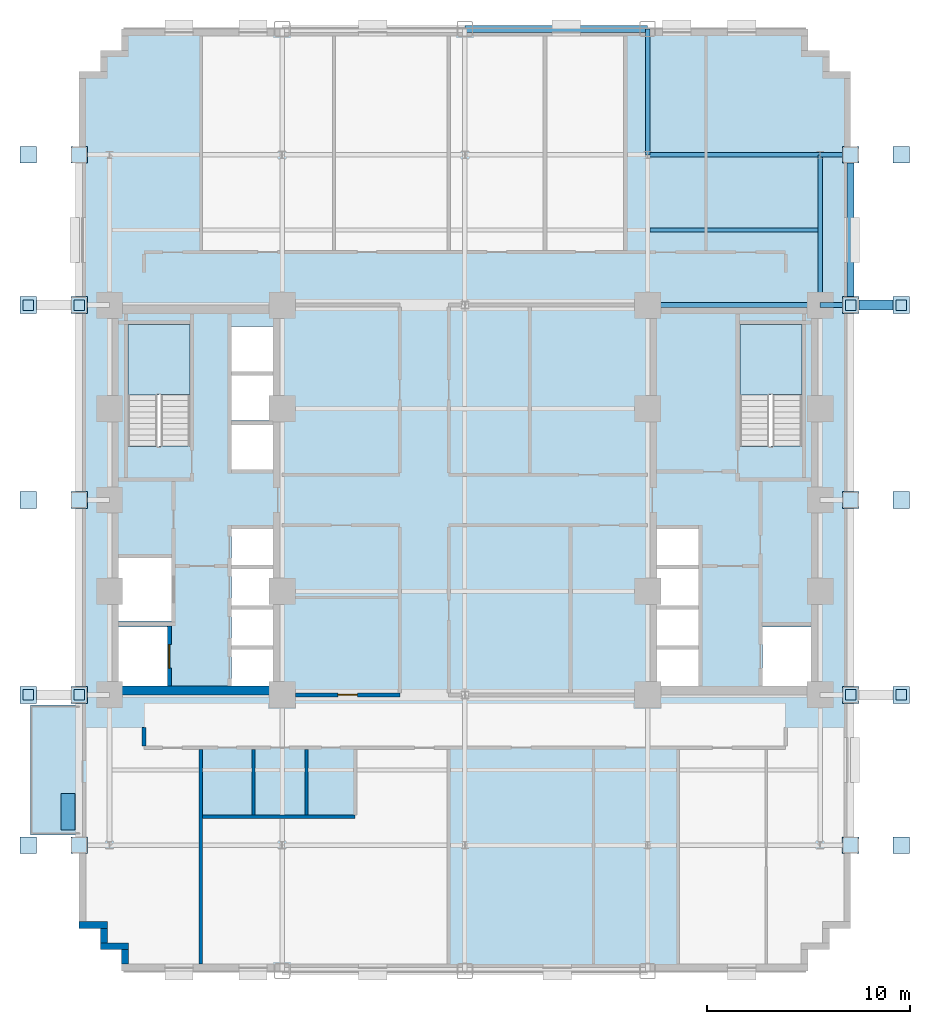
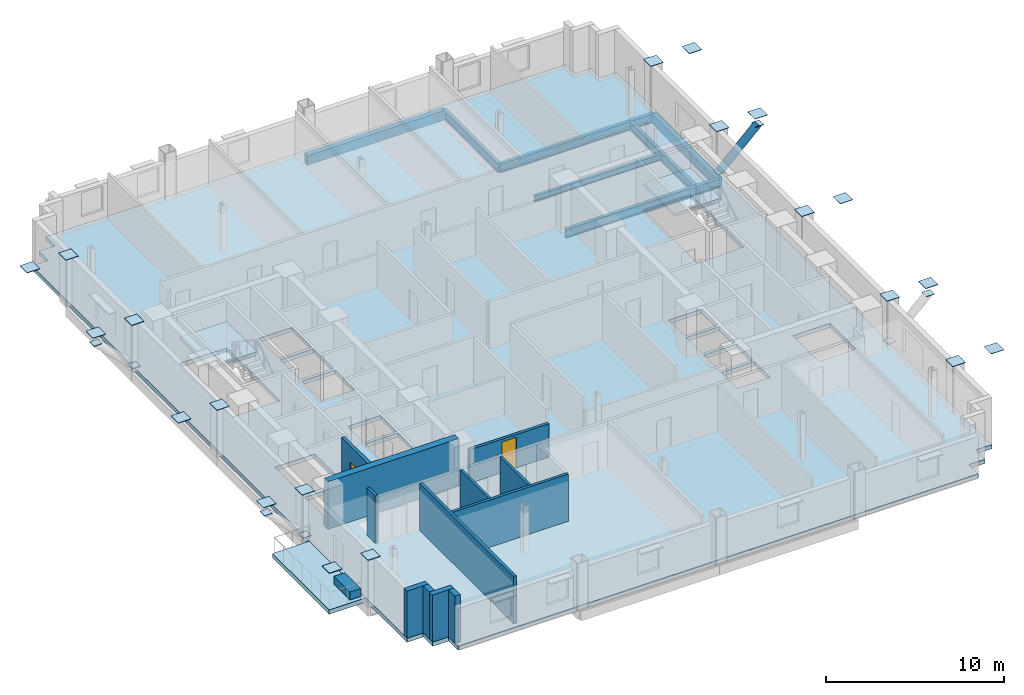
# One storey, part 4 of 12: 29 plates, 12 walls, 9 beams, 4 slabs, 2 doors, 1 member, 2 openings, 2 elements without a shape of their own.
"""IFC4 building model written with IfcOpenShell, lengths in metres."""

from ifc_helpers import new_model, si_unit, direction, frame, frame_2d, origin, origin_2d, place, context, subcontext, project, spatial, polyline, rectangle, hollow_circle, i_section, outline, extrude, source, transform, mapped, material, layer, layer_set, material_profile, profile_set, type_object, type_shapes, element, fill, aggregate, save


model = new_model("IFC4")

# Units and contexts
model_context = context("Model", 3, precision=1e-05, world=origin(), true_north=direction((0.0, 1.0)))
body_context = subcontext(model_context, "Body", "Model", "MODEL_VIEW")
ifc_project = project(units=[si_unit("LENGTHUNIT", "METRE"), si_unit("AREAUNIT", "SQUARE_METRE"), si_unit("VOLUMEUNIT", "CUBIC_METRE"), si_unit("PLANEANGLEUNIT", "RADIAN"), si_unit("MASSUNIT", "GRAM", prefix="KILO")], contexts=[model_context])

# Site, building, storey
site_placement = place(None, origin())
site = spatial("IfcSite", under=ifc_project, at=site_placement, CompositionType="ELEMENT")
building_placement = place(site_placement, origin())
building = spatial("IfcBuilding", under=site, at=building_placement, Name="Nuvemarco Arch Tower", CompositionType="ELEMENT")
storey_placement = place(building_placement, frame((0.0, 0.0, 53.14990234375)))
storey = spatial("IfcBuildingStorey", under=building, at=storey_placement, Name="L13", CompositionType="ELEMENT", Elevation=53.14990234375)

# Beams
ifc_material_1 = material(Name="Steel S355", Category="steel")
ifc_material_profile_1 = material_profile(ifc_material_1, i_section(OverallWidth=0.22998046875, OverallDepth=0.616943359375, WebThickness=0.01318359375, FlangeThickness=0.022216796875, FilletRadius=0.01611328125, at=origin_2d()), Name="W610x140")
ifc_profile_set_1 = profile_set([ifc_material_profile_1], Name="Steel S355")
beam_type_1 = type_object("IfcBeamType", Name="BM-GIRD-610", PredefinedType="BEAM", material=ifc_profile_set_1)
beam_1_placement = place(storey_placement, frame((9.0, 17.0, -0.58837890625), z_axis=(0.0, 1.0, 0.0), x_axis=(-1.0, 0.0, 0.0)))
element("IfcBeam", 1, at=beam_1_placement, inside=storey, type_object=beam_type_1, Name="L13 structural beam BGNS_L13_0_+9.0_+17.0", PredefinedType="BEAM", context=body_context, shape_type="SweptSolid", body=[
    extrude(i_section(OverallWidth=0.22998046875, OverallDepth=0.616943359375, WebThickness=0.01318359375, FlangeThickness=0.022216796875, FilletRadius=0.01611328125, at=origin_2d()), origin(), (0.0, 0.0, 1.0), 6.199951171875),
])
beam_2_placement = place(storey_placement, frame((17.5, 9.60009765625, -0.58837890625), z_axis=(0.0, 1.0, 0.0), x_axis=(-1.0, 0.0, 0.0)))
element("IfcBeam", 2, at=beam_2_placement, inside=storey, type_object=beam_type_1, Name="L13 structural beam BGNS_L13_0_+17.5_+9.6", PredefinedType="BEAM", context=body_context, shape_type="SweptSolid", body=[
    extrude(i_section(OverallWidth=0.22998046875, OverallDepth=0.616943359375, WebThickness=0.01318359375, FlangeThickness=0.022216796875, FilletRadius=0.01611328125, at=origin_2d()), origin(), (0.0, 0.0, 1.0), 7.39990234375),
])
beam_3_placement = place(storey_placement, frame((9.0, 9.60009765625, -0.58837890625), z_axis=(1.0, 0.0, 0.0), x_axis=(0.0, 1.0, 0.0)))
element("IfcBeam", 3, at=beam_3_placement, inside=storey, type_object=beam_type_1, Name="L13 structural beam BGEW_L13_0_+9.6_+9.0", PredefinedType="BEAM", context=body_context, shape_type="SweptSolid", body=[
    extrude(i_section(OverallWidth=0.22998046875, OverallDepth=0.616943359375, WebThickness=0.01318359375, FlangeThickness=0.022216796875, FilletRadius=0.01611328125, at=origin_2d()), origin(), (0.0, 0.0, 1.0), 8.5),
])
beam_4_placement = place(storey_placement, frame((17.5, 9.60009765625, -0.58837890625), z_axis=(1.0, 0.0, 0.0), x_axis=(0.0, 1.0, 0.0)))
element("IfcBeam", 4, at=beam_4_placement, inside=storey, type_object=beam_type_1, Name="L13 structural beam BGEW_L13_0_+9.6_+17.5", PredefinedType="BEAM", context=body_context, shape_type="SweptSolid", body=[
    extrude(i_section(OverallWidth=0.22998046875, OverallDepth=0.616943359375, WebThickness=0.01318359375, FlangeThickness=0.022216796875, FilletRadius=0.01611328125, at=origin_2d()), origin(), (0.0, 0.0, 1.0), 1.5),
])
beam_5_placement = place(storey_placement, frame((9.0, 17.0, -0.58837890625), z_axis=(1.0, 0.0, 0.0), x_axis=(0.0, 1.0, 0.0)))
element("IfcBeam", 5, at=beam_5_placement, inside=storey, type_object=beam_type_1, Name="L13 structural beam BGEW_L13_0_+17.0_+9.0", PredefinedType="BEAM", context=body_context, shape_type="SweptSolid", body=[
    extrude(i_section(OverallWidth=0.22998046875, OverallDepth=0.616943359375, WebThickness=0.01318359375, FlangeThickness=0.022216796875, FilletRadius=0.01611328125, at=origin_2d()), origin(), (0.0, 0.0, 1.0), 8.5),
])
beam_6_placement = place(storey_placement, frame((17.5, 17.0, -0.58837890625), z_axis=(1.0, 0.0, 0.0), x_axis=(0.0, 1.0, 0.0)))
element("IfcBeam", 6, at=beam_6_placement, inside=storey, type_object=beam_type_1, Name="L13 structural beam BGEW_L13_0_+17.0_+17.5", PredefinedType="BEAM", context=body_context, shape_type="SweptSolid", body=[
    extrude(i_section(OverallWidth=0.22998046875, OverallDepth=0.616943359375, WebThickness=0.01318359375, FlangeThickness=0.022216796875, FilletRadius=0.01611328125, at=origin_2d()), origin(), (0.0, 0.0, 1.0), 1.5),
])
ifc_material_profile_2 = material_profile(ifc_material_1, i_section(OverallWidth=0.179931640625, OverallDepth=0.4130859375, WebThickness=0.009765625, FlangeThickness=0.01611328125, FilletRadius=0.014892578125, at=origin_2d()), Name="W410x75")
ifc_profile_set_2 = profile_set([ifc_material_profile_2], Name="Steel S355")
beam_type_2 = type_object("IfcBeamType", Name="BM-JOIST-410", PredefinedType="JOIST", material=ifc_profile_set_2)
beam_7_placement = place(storey_placement, frame((9.114990234375, 13.300048828125, -0.486328125), z_axis=(1.0, 0.0, 0.0), x_axis=(0.0, 1.0, 0.0)))
element("IfcBeam", 7, at=beam_7_placement, inside=storey, type_object=beam_type_2, Name="L13 structural beam BJ_L13_0_+13.3_+9.0", PredefinedType="JOIST", context=body_context, shape_type="SweptSolid", body=[
    extrude(i_section(OverallWidth=0.179931640625, OverallDepth=0.4130859375, WebThickness=0.009765625, FlangeThickness=0.01611328125, FilletRadius=0.014892578125, at=origin_2d()), origin(), (0.0, 0.0, 1.0), 8.27001953125),
])
ifc_material_2 = material(Name="Precast concrete C45/55", Category="concrete")
ifc_material_profile_3 = material_profile(ifc_material_2, rectangle(XDim=0.35009765625, YDim=0.64990234375, at=origin_2d()), Name="PC-SP-350x650")
ifc_profile_set_3 = profile_set([ifc_material_profile_3], Name="Precast concrete C45/55")
beam_type_3 = type_object("IfcBeamType", Name="BM-SPAN-RC", PredefinedType="SPANDREL", material=ifc_profile_set_3)
beam_8_placement = place(storey_placement, frame((19.0, 9.60009765625, -0.60498046875), z_axis=(0.0, 1.0, 0.0), x_axis=(-1.0, 0.0, 0.0)))
element("IfcBeam", 8, at=beam_8_placement, inside=storey, type_object=beam_type_3, Name="L13 structural beam BGNS_L13_0_+19.0_+9.6", PredefinedType="SPANDREL", context=body_context, shape_type="SweptSolid", body=[
    extrude(rectangle(XDim=0.35009765625, YDim=0.64990234375, at=origin_2d()), origin(), (0.0, 0.0, 1.0), 7.39990234375),
])
beam_9_placement = place(storey_placement, frame((0.0, 23.199951171875, -0.60498046875), z_axis=(1.0, 0.0, 0.0), x_axis=(0.0, 1.0, 0.0)))
element("IfcBeam", 9, at=beam_9_placement, inside=storey, type_object=beam_type_3, Name="L13 structural beam BGEW_L13_0_+23.2_+0.0", PredefinedType="SPANDREL", context=body_context, shape_type="SweptSolid", body=[
    extrude(rectangle(XDim=0.35009765625, YDim=0.64990234375, at=origin_2d()), origin(), (0.0, 0.0, 1.0), 9.0),
])

# Member
ifc_material_profile_4 = material_profile(ifc_material_1, hollow_circle(Radius=0.25390625, WallThickness=0.031982421875, at=origin_2d()), Name="CHS508x32")
ifc_profile_set_4 = profile_set([ifc_material_profile_4], Name="Steel S355")
member_type = type_object("IfcMemberType", Name="MB-RAKER-CANT", PredefinedType="STRUT", material=ifc_profile_set_4)
member_placement = place(storey_placement, frame((19.0, 9.60009765625, 0.150146484375), z_axis=(0.721401399021, 0.0, 0.692517163318), x_axis=(0.0, 1.0, 0.0)))
element("IfcMember", 10, at=member_placement, inside=storey, type_object=member_type, Name="L13 outward-step steel raker strut E", PredefinedType="STRUT", context=body_context, shape_type="SweptSolid", body=[
    extrude(hollow_circle(Radius=0.25390625, WallThickness=0.031982421875, at=origin_2d()), origin(), (0.0, 0.0, 1.0), 3.465576171875),
])

# Slab
ifc_material_3 = material(Name="Concrete C50/60", Category="concrete")
ifc_layer_1 = layer(ifc_material_3, 0.280029296875, Name="SL-FLR-280")
ifc_layer_set_1 = layer_set([ifc_layer_1], Name="Concrete C50/60")
slab_type_1 = type_object("IfcSlabType", Name="SL-FLR-280", PredefinedType="FLOOR", material=ifc_layer_set_1)
slab_1_placement = place(storey_placement, frame((0.0, 0.0, -0.27978515625)))
element("IfcSlab", 11, at=slab_1_placement, inside=storey, type_object=slab_type_1, Name="L13 structural floor slab", PredefinedType="FLOOR", context=body_context, shape_type="SweptSolid", body=[
    extrude(outline(polyline([(-16.89990234375, -23.199951171875), (16.89990234375, -23.199951171875), (16.89990234375, -22.14990234375), (17.949951171875, -22.14990234375), (17.949951171875, -21.10009765625), (19.0, -21.10009765625), (19.0, 21.10009765625), (17.949951171875, 21.10009765625), (17.949951171875, 22.14990234375), (16.89990234375, 22.14990234375), (16.89990234375, 23.199951171875), (-16.89990234375, 23.199951171875), (-16.89990234375, 22.14990234375), (-17.949951171875, 22.14990234375), (-17.949951171875, 21.10009765625), (-19.0, 21.10009765625), (-19.0, -21.10009765625), (-17.949951171875, -21.10009765625), (-17.949951171875, -22.14990234375), (-16.89990234375, -22.14990234375), (-16.89990234375, -23.199951171875)]), holes=[polyline([(-13.5400390625, 2.669921875), (-13.5400390625, 8.64990234375), (-16.60009765625, 8.64990234375), (-16.60009765625, 2.630615234375), (-15.070068359375, 2.630615234375), (-15.070068359375, 2.669921875), (-13.5400390625, 2.669921875)]), polyline([(16.60009765625, 2.669921875), (16.60009765625, 8.64990234375), (13.5400390625, 8.64990234375), (13.5400390625, 2.630615234375), (15.070068359375, 2.630615234375), (15.070068359375, 2.669921875), (16.60009765625, 2.669921875)]), polyline([(-17.050048828125, -9.14990234375), (-14.64990234375, -9.14990234375), (-14.64990234375, -6.25), (-17.050048828125, -6.25), (-17.050048828125, -9.14990234375)]), polyline([(-17.050048828125, -5.949951171875), (-14.449951171875, -5.949951171875), (-14.449951171875, -2.85009765625), (-17.050048828125, -2.85009765625), (-17.050048828125, -5.949951171875)]), polyline([(-11.5, -9.14990234375), (-9.35009765625, -9.14990234375), (-9.35009765625, -7.3701171875), (-11.5, -7.3701171875), (-11.5, -9.14990234375)]), polyline([(-11.5, -7.169921875), (-9.35009765625, -7.169921875), (-9.35009765625, -5.389892578125), (-11.5, -5.389892578125), (-11.5, -7.169921875)]), polyline([(-11.5, -5.18994140625), (-9.35009765625, -5.18994140625), (-9.35009765625, -3.409912109375), (-11.5, -3.409912109375), (-11.5, -5.18994140625)]), polyline([(-11.5, -3.2099609375), (-9.35009765625, -3.2099609375), (-9.35009765625, -1.429931640625), (-11.5, -1.429931640625), (-11.5, -3.2099609375)]), polyline([(-11.5, 1.5), (-9.35009765625, 1.5), (-9.35009765625, 3.699951171875), (-11.5, 3.699951171875), (-11.5, 1.5)]), polyline([(-11.5, 3.919921875), (-9.35009765625, 3.919921875), (-9.35009765625, 6.1201171875), (-11.5, 6.1201171875), (-11.5, 3.919921875)]), polyline([(-11.5, 6.340087890625), (-9.35009765625, 6.340087890625), (-9.35009765625, 8.5400390625), (-11.5, 8.5400390625), (-11.5, 6.340087890625)]), polyline([(14.64990234375, -9.14990234375), (17.050048828125, -9.14990234375), (17.050048828125, -6.25), (14.64990234375, -6.25), (14.64990234375, -9.14990234375)]), polyline([(9.35009765625, -9.14990234375), (11.5, -9.14990234375), (11.5, -7.3701171875), (9.35009765625, -7.3701171875), (9.35009765625, -9.14990234375)]), polyline([(9.35009765625, -7.169921875), (11.5, -7.169921875), (11.5, -5.389892578125), (9.35009765625, -5.389892578125), (9.35009765625, -7.169921875)]), polyline([(9.35009765625, -5.18994140625), (11.5, -5.18994140625), (11.5, -3.409912109375), (9.35009765625, -3.409912109375), (9.35009765625, -5.18994140625)]), polyline([(9.35009765625, -3.2099609375), (11.5, -3.2099609375), (11.5, -1.429931640625), (9.35009765625, -1.429931640625), (9.35009765625, -3.2099609375)])]), origin(), (0.0, 0.0, 1.0), 0.27978515625),
])

# Stair, slab
stair_type = type_object("IfcStairType", Name="ST-CORE-20R", PredefinedType="HALF_TURN_STAIR", material=ifc_material_2)
stair_1_placement = place(storey_placement, origin())
stair_1 = element("IfcStair", 12, at=stair_1_placement, inside=storey, type_object=stair_type, Name="L13 Protected Exit Stair ST-1", PredefinedType="HALF_TURN_STAIR")
ifc_layer_2 = layer(ifc_material_2, 0.199951171875, Name="SL-LANDING-200")
ifc_layer_set_2 = layer_set([ifc_layer_2], Name="Precast concrete C45/55")
slab_type_2 = type_object("IfcSlabType", Name="SL-LANDING-200", PredefinedType="LANDING", material=ifc_layer_set_2)
slab_2_placement = place(storey_placement, frame((0.0, 0.0, 1.625)))
slab_2 = element("IfcSlab", 13, at=slab_2_placement, type_object=slab_type_2, Name="ST-20R landing 1", PredefinedType="LANDING", context=body_context, shape_type="SweptSolid", body=[
    extrude(outline(polyline([(-13.5400390625, 5.189453125), (-13.5400390625, 8.64990234375), (-16.60009765625, 8.64990234375), (-16.60009765625, 5.169921875), (-15.070068359375, 5.169921875), (-15.070068359375, 5.189453125), (-13.5400390625, 5.189453125)])), origin(), (0.0, 0.0, 1.0), 0.2001953125),
])
aggregate(stair_1, [slab_2])

stair_2_placement = place(storey_placement, origin())
stair_2 = element("IfcStair", 14, at=stair_2_placement, inside=storey, type_object=stair_type, Name="L13 Protected Exit Stair ST-2", PredefinedType="HALF_TURN_STAIR")
slab_3_placement = place(storey_placement, frame((0.0, 0.0, 1.625)))
slab_3 = element("IfcSlab", 15, at=slab_3_placement, type_object=slab_type_2, Name="ST-20R landing 1", PredefinedType="LANDING", context=body_context, shape_type="SweptSolid", body=[
    extrude(outline(polyline([(16.60009765625, 5.189453125), (16.60009765625, 8.64990234375), (13.5400390625, 8.64990234375), (13.5400390625, 5.169921875), (15.070068359375, 5.169921875), (15.070068359375, 5.189453125), (16.60009765625, 5.189453125)])), origin(), (0.0, 0.0, 1.0), 0.2001953125),
])
aggregate(stair_2, [slab_3])

# Slab
ifc_layer_3 = layer(ifc_material_3, 0.294921875, Name="SL-TR4")
ifc_layer_set_3 = layer_set([ifc_layer_3], Name="Concrete C50/60")
slab_type_3 = type_object("IfcSlabType", Name="SL-TR4", PredefinedType="FLOOR", material=ifc_layer_set_3)
slab_4_placement = place(storey_placement, frame((0.0, 0.0, -0.294921875)))
element("IfcSlab", 16, at=slab_4_placement, inside=storey, type_object=slab_type_3, Name="L13 outdoor spiral terrace slab 1", PredefinedType="FLOOR", context=body_context, shape_type="SweptSolid", body=[
    extrude(outline(polyline([(-21.39990234375, -16.5), (-19.0, -16.5), (-19.0, -10.10009765625), (-21.39990234375, -10.10009765625), (-21.39990234375, -16.5)])), origin(), (0.0, 0.0, 1.0), 0.294921875),
])

# Plates
ifc_material_4 = material(Name="Steel S460", Category="steel")
ifc_layer_4 = layer(ifc_material_4, 0.030029296875, Name="PL-CAP-800-EXT")
ifc_layer_set_4 = layer_set([ifc_layer_4], Name="Steel S460")
plate_type_1 = type_object("IfcPlateType", Name="PL-CAP-800-EXT", PredefinedType="SHEET", material=ifc_layer_set_4)
shared_shape_1 = source(origin(), body_context, "Body", "SweptSolid", [
    extrude(rectangle(XDim=0.820068359375, YDim=0.820068359375, at=origin_2d()), origin(), (0.0, 0.0, 1.0), 0.030029296875),
])
type_shapes(plate_type_1, [shared_shape_1])
for number, where, z_axis, x_axis, name in (
    (17, (-19.0, -17.0, 3.23486328125), (0.0, 0.0, 1.0), (1.0, 0.0, 0.0), "Hollow steel end-cap plate COL-L13-CX_-19.0_-17.0_TOP"),
    (18, (-19.0, -9.60009765625, 3.23486328125), (0.0, 0.0, 1.0), (1.0, 0.0, 0.0), "Hollow steel end-cap plate COL-L13-CX_-19.0_-9.6_TOP"),
    (19, (-19.0, 0.0, 3.23486328125), (0.0, 0.0, 1.0), (1.0, 0.0, 0.0), "Hollow steel end-cap plate COL-L13-CX_-19.0_+0.0_TOP"),
    (20, (-19.0, 9.60009765625, 3.23486328125), (0.0, 0.0, 1.0), (1.0, 0.0, 0.0), "Hollow steel end-cap plate COL-L13-CX_-19.0_+9.6_TOP"),
    (21, (-19.0, 17.0, 3.23486328125), (0.0, 0.0, 1.0), (1.0, 0.0, 0.0), "Hollow steel end-cap plate COL-L13-CX_-19.0_+17.0_TOP"),
    (22, (19.0, -17.0, 3.23486328125), (0.0, 0.0, 1.0), (1.0, 0.0, 0.0), "Hollow steel end-cap plate COL-L13-CX_+19.0_-17.0_TOP"),
    (23, (19.0, -9.60009765625, 3.23486328125), (0.0, 0.0, 1.0), (1.0, 0.0, 0.0), "Hollow steel end-cap plate COL-L13-CX_+19.0_-9.6_TOP"),
    (24, (19.0, 0.0, 3.23486328125), (0.0, 0.0, 1.0), (1.0, 0.0, 0.0), "Hollow steel end-cap plate COL-L13-CX_+19.0_+0.0_TOP"),
    (25, (19.0, 9.60009765625, 3.23486328125), (0.0, 0.0, 1.0), (1.0, 0.0, 0.0), "Hollow steel end-cap plate COL-L13-CX_+19.0_+9.6_TOP"),
    (26, (19.0, 17.0, 3.23486328125), (0.0, 0.0, 1.0), (1.0, 0.0, 0.0), "Hollow steel end-cap plate COL-L13-CX_+19.0_+17.0_TOP"),
    (27, (-21.5, -17.0, 3.23486328125), (0.0, 0.0, 1.0), (1.0, 0.0, 0.0), "Hollow steel end-cap plate COL-L14-CX_-21.5_-17.0_BOT"),
    (28, (-21.5, -9.60009765625, 3.23486328125), (0.0, 0.0, 1.0), (1.0, 0.0, 0.0), "Hollow steel end-cap plate COL-L14-CX_-21.5_-9.6_BOT"),
    (29, (-21.5, 0.0, 3.23486328125), (0.0, 0.0, 1.0), (1.0, 0.0, 0.0), "Hollow steel end-cap plate COL-L14-CX_-21.5_+0.0_BOT"),
    (30, (-21.5, 9.60009765625, 3.23486328125), (0.0, 0.0, 1.0), (1.0, 0.0, 0.0), "Hollow steel end-cap plate COL-L14-CX_-21.5_+9.6_BOT"),
    (31, (-21.5, 17.0, 3.23486328125), (0.0, 0.0, 1.0), (1.0, 0.0, 0.0), "Hollow steel end-cap plate COL-L14-CX_-21.5_+17.0_BOT"),
    (32, (21.5, -17.0, 3.23486328125), (0.0, 0.0, 1.0), (1.0, 0.0, 0.0), "Hollow steel end-cap plate COL-L14-CX_+21.5_-17.0_BOT"),
    (33, (21.5, -9.60009765625, 3.23486328125), (0.0, 0.0, 1.0), (1.0, 0.0, 0.0), "Hollow steel end-cap plate COL-L14-CX_+21.5_-9.6_BOT"),
    (34, (21.5, 0.0, 3.23486328125), (0.0, 0.0, 1.0), (1.0, 0.0, 0.0), "Hollow steel end-cap plate COL-L14-CX_+21.5_+0.0_BOT"),
    (35, (21.5, 9.60009765625, 3.23486328125), (0.0, 0.0, 1.0), (1.0, 0.0, 0.0), "Hollow steel end-cap plate COL-L14-CX_+21.5_+9.6_BOT"),
    (36, (21.5, 17.0, 3.23486328125), (0.0, 0.0, 1.0), (1.0, 0.0, 0.0), "Hollow steel end-cap plate COL-L14-CX_+21.5_+17.0_BOT"),
):
    element("IfcPlate", number, at=place(storey_placement, frame(where, z_axis=z_axis, x_axis=x_axis)), inside=storey, type_object=plate_type_1, Name=name, PredefinedType="SHEET", context=body_context, shape_type="MappedRepresentation", body=[
        mapped(shared_shape_1, transform((0.0, 0.0, 0.0), scale=1.0)),
    ])
ifc_layer_5 = layer(ifc_material_1, 0.030029296875, Name="PL-CAP-500-EXT")
ifc_layer_set_5 = layer_set([ifc_layer_5], Name="Steel S355")
plate_type_2 = type_object("IfcPlateType", Name="PL-CAP-500-EXT", PredefinedType="SHEET", material=ifc_layer_set_5)
shared_shape_2 = source(origin(), body_context, "Body", "SweptSolid", [
    extrude(rectangle(XDim=0.52001953125, YDim=0.52001953125, at=origin_2d()), origin(), (0.0, 0.0, 1.0), 0.030029296875),
])
type_shapes(plate_type_2, [shared_shape_2])
for number, where, z_axis, x_axis, name in (
    (37, (-19.0, -9.60009765625, 0.13525390625), (0.0, 0.0, 1.0), (1.0, 0.0, 0.0), "Hollow steel end-cap plate RK_L13_W_-9.6_C0"),
    (38, (-21.5, -9.60009765625, 2.53515625), (0.0, 0.0, 1.0), (1.0, 0.0, 0.0), "Hollow steel end-cap plate RK_L13_W_-9.6_C1"),
    (39, (19.0, -9.60009765625, 0.13525390625), (0.0, 0.0, 1.0), (1.0, 0.0, 0.0), "Hollow steel end-cap plate RK_L13_E_-9.6_C0"),
    (40, (21.5, -9.60009765625, 2.53515625), (0.0, 0.0, 1.0), (1.0, 0.0, 0.0), "Hollow steel end-cap plate RK_L13_E_-9.6_C1"),
    (41, (-19.0, 9.60009765625, 0.13525390625), (0.0, 0.0, 1.0), (1.0, 0.0, 0.0), "Hollow steel end-cap plate RK_L13_W_+9.6_C0"),
    (42, (-21.5, 9.60009765625, 2.53515625), (0.0, 0.0, 1.0), (1.0, 0.0, 0.0), "Hollow steel end-cap plate RK_L13_W_+9.6_C1"),
    (43, (19.0, 9.60009765625, 0.13525390625), (0.0, 0.0, 1.0), (1.0, 0.0, 0.0), "Hollow steel end-cap plate RK_L13_E_+9.6_C0"),
    (44, (21.5, 9.60009765625, 2.53515625), (0.0, 0.0, 1.0), (1.0, 0.0, 0.0), "Hollow steel end-cap plate RK_L13_E_+9.6_C1"),
):
    element("IfcPlate", number, at=place(storey_placement, frame(where, z_axis=z_axis, x_axis=x_axis)), inside=storey, type_object=plate_type_2, Name=name, PredefinedType="SHEET", context=body_context, shape_type="MappedRepresentation", body=[
        mapped(shared_shape_2, transform((0.0, 0.0, 0.0), scale=1.0)),
    ])
ifc_layer_6 = layer(ifc_material_2, 0.550048828125, Name="Tree Balcony Structural Planter")
ifc_layer_set_6 = layer_set([ifc_layer_6], Name="Precast concrete C45/55")
plate_type_3 = type_object("IfcPlateType", Name="Tree Balcony Structural Planter", PredefinedType="USERDEFINED", material=ifc_layer_set_6)
shared_shape_3 = source(origin(), body_context, "Body", "SweptSolid", [
    extrude(rectangle(XDim=1.800048828125, YDim=0.699951171875, at=origin_2d()), origin(), (0.0, 0.0, 1.0), 0.550048828125),
])
type_shapes(plate_type_3, [shared_shape_3])
plate_placement = place(storey_placement, frame((-19.550048828125, -15.35009765625, 0.0), z_axis=(0.0, 0.0, 1.0), x_axis=(0.0, 1.0, 0.0)))
element("IfcPlate", 45, at=plate_placement, inside=storey, type_object=plate_type_3, Name="L13 Tree Balcony Structural Planter", ObjectType="PLANTER", PredefinedType="USERDEFINED", context=body_context, shape_type="MappedRepresentation", body=[
    mapped(shared_shape_3, transform((0.0, 0.0, 0.0), scale=1.0)),
])

# Walls
ifc_layer_7 = layer(ifc_material_2, 0.340087890625, Name="EW-LOW-340")
ifc_layer_set_7 = layer_set([ifc_layer_7], Name="Precast concrete C45/55")
wall_type_1 = type_object("IfcWallType", Name="EW-LOW-340", PredefinedType="STANDARD", material=ifc_layer_set_7)
wall_1_placement = place(storey_placement, frame((-19.0, -20.929931640625, 0.0), z_axis=(0.0, 0.0, 1.0), x_axis=(1.0, 0.0, 0.0)))
element("IfcWall", 46, at=wall_1_placement, inside=storey, type_object=wall_type_1, Name="L13 exterior precast facade wall 17", PredefinedType="STANDARD", context=body_context, shape_type="SweptSolid", body=[
    extrude(rectangle(XDim=1.389892578125, YDim=0.340087890625, at=frame_2d((0.69482421875, 0.0))), origin(), (0.0, 0.0, 1.0), 3.239990234375),
])
wall_2_placement = place(storey_placement, frame((-17.780029296875, -21.81396484375, 0.0), z_axis=(0.0, 0.0, 1.0), x_axis=(0.0, 1.0, 0.0)))
element("IfcWall", 47, at=wall_2_placement, inside=storey, type_object=wall_type_1, Name="L13 exterior precast facade wall 18", PredefinedType="STANDARD", context=body_context, shape_type="SweptSolid", body=[
    extrude(rectangle(XDim=0.718017578125, YDim=0.340087890625, at=frame_2d((0.35888671875, 0.0))), origin(), (0.0, 0.0, 1.0), 3.239990234375),
])
wall_3_placement = place(storey_placement, frame((-17.949951171875, -21.97998046875, 0.0), z_axis=(0.0, 0.0, 1.0), x_axis=(1.0, 0.0, 0.0)))
element("IfcWall", 48, at=wall_3_placement, inside=storey, type_object=wall_type_1, Name="L13 exterior precast facade wall 19", PredefinedType="STANDARD", context=body_context, shape_type="SweptSolid", body=[
    extrude(rectangle(XDim=1.389892578125, YDim=0.340087890625, at=frame_2d((0.69482421875, 0.0))), origin(), (0.0, 0.0, 1.0), 3.239990234375),
])
wall_4_placement = place(storey_placement, frame((-16.72998046875, -22.864013671875, 0.0), z_axis=(0.0, 0.0, 1.0), x_axis=(0.0, 1.0, 0.0)))
element("IfcWall", 49, at=wall_4_placement, inside=storey, type_object=wall_type_1, Name="L13 exterior precast facade wall 20", PredefinedType="STANDARD", context=body_context, shape_type="SweptSolid", body=[
    extrude(rectangle(XDim=0.718017578125, YDim=0.340087890625, at=frame_2d((0.35888671875, 0.0))), origin(), (0.0, 0.0, 1.0), 3.239990234375),
])
ifc_material_5 = material(Name="Concrete C60/75", Category="concrete")
ifc_layer_8 = layer(ifc_material_5, 0.449951171875, Name="WL-CORE-450")
ifc_layer_set_8 = layer_set([ifc_layer_8], Name="Concrete C60/75")
wall_type_2 = type_object("IfcWallType", Name="WL-CORE-450", PredefinedType="SHEAR", material=ifc_layer_set_8)
wall_5_placement = place(storey_placement, frame((-17.5, -9.375, 0.0), z_axis=(0.0, 0.0, 1.0), x_axis=(1.0, 0.0, 0.0)))
element("IfcWall", 50, at=wall_5_placement, inside=storey, type_object=wall_type_2, Name="L13 W-core shear wall S", PredefinedType="SHEAR", context=body_context, shape_type="SweptSolid", body=[
    extrude(rectangle(XDim=8.5, YDim=0.449951171875, at=frame_2d((4.25, 0.0))), origin(), (0.0, 0.0, 1.0), 3.25),
])
ifc_material_6 = material(Name="Fire-rated gypsum drywall partition")
ifc_layer_9 = layer(ifc_material_6, 0.179931640625, Name="WL-CORR-180")
ifc_layer_set_9 = layer_set([ifc_layer_9], Name="Fire-rated gypsum drywall partition")
wall_type_3 = type_object("IfcWallType", Name="WL-CORR-180", PredefinedType="PARTITIONING", material=ifc_layer_set_9)
wall_6_placement = place(storey_placement, frame((-12.9140625, -15.60009765625, 0.0), z_axis=(0.0, 0.0, 1.0), x_axis=(1.0, 0.0, 0.0)))
element("IfcWall", 51, at=wall_6_placement, inside=storey, type_object=wall_type_3, Name="L13 interior wall IW-L13-001", PredefinedType="PARTITIONING", context=body_context, shape_type="SweptSolid", body=[
    extrude(rectangle(XDim=7.51416015625, YDim=0.179931640625, at=frame_2d((3.757080078125, 0.0))), origin(), (0.0, 0.0, 1.0), 3.239990234375),
])

# Wall, opening, door
wall_7_placement = place(storey_placement, frame((-8.35400390625, -9.60009765625, 0.0), z_axis=(0.0, 0.0, 1.0), x_axis=(1.0, 0.0, 0.0)))
wall_7 = element("IfcWall", 52, at=wall_7_placement, inside=storey, type_object=wall_type_3, Name="L13 interior wall IW-L13-003", PredefinedType="PARTITIONING", context=body_context, shape_type="SweptSolid", body=[
    extrude(rectangle(XDim=5.154052734375, YDim=0.179931640625, at=frame_2d((2.5771484375, 0.0))), origin(), (0.0, 0.0, 1.0), 2.28515625),
])
opening_1_placement = place(wall_7_placement, frame((2.096923828125, 0.0, 0.0)))
opening_1 = element("IfcOpeningElement", 53, at=opening_1_placement, cuts=wall_7, Name="Opening FD-5", PredefinedType="OPENING", context=body_context, shape_type="SweptSolid", body=[
    extrude(rectangle(XDim=0.9599609375, YDim=2.10009765625, at=frame_2d((0.47998046875, 1.050048828125))), frame((0.0, 0.099853515625, 0.0), z_axis=(0.0, -1.0, 0.0), x_axis=(1.0, 0.0, 0.0)), (0.0, 0.0, 1.0), 0.199951171875),
])
ifc_material_7 = material(Name="Timber fire door", Category="wood")
door_type_1 = type_object("IfcDoorType", Name="DR-CORR-FD", OperationType="NOTDEFINED", PredefinedType="DOOR", material=ifc_material_7)
shared_shape_4 = source(origin(), body_context, "Body", "SweptSolid", [
    extrude(rectangle(XDim=0.9599609375, YDim=2.10009765625, at=frame_2d((0.47998046875, 1.050048828125))), frame((0.0, 0.02490234375, 0.0), z_axis=(0.0, -1.0, 0.0), x_axis=(1.0, 0.0, 0.0)), (0.0, 0.0, 1.0), 0.050048828125),
])
type_shapes(door_type_1, [shared_shape_4])
door_1_placement = place(opening_1_placement, origin())
door_1 = element("IfcDoor", 54, at=door_1_placement, inside=storey, type_object=door_type_1, Name="L13 door DR-L13-C_SW2", OperationType="SINGLE_SWING_LEFT", OverallHeight=2.10009765625, OverallWidth=0.9599609375, PredefinedType="DOOR", context=body_context, shape_type="MappedRepresentation", body=[
    mapped(shared_shape_4, transform((0.0, 0.0, 0.0), scale=1.0)),
])
fill(opening_1, door_1)

# Walls
wall_8_placement = place(storey_placement, frame((-15.800048828125, -12.114013671875, 0.0), z_axis=(0.0, 0.0, 1.0), x_axis=(0.0, 1.0, 0.0)))
element("IfcWall", 55, at=wall_8_placement, inside=storey, type_object=wall_type_3, Name="L13 interior wall IW-L13-015", PredefinedType="PARTITIONING", context=body_context, shape_type="SweptSolid", body=[
    extrude(rectangle(XDim=0.9140625, YDim=0.179931640625, at=frame_2d((0.45703125, 0.0))), origin(), (0.0, 0.0, 1.0), 3.239990234375),
])
wall_9_placement = place(storey_placement, frame((-13.0, -22.860107421875, 0.0), z_axis=(0.0, 0.0, 1.0), x_axis=(0.0, 1.0, 0.0)))
element("IfcWall", 56, at=wall_9_placement, inside=storey, type_object=wall_type_3, Name="L13 interior wall IW-L13-017", PredefinedType="PARTITIONING", context=body_context, shape_type="SweptSolid", body=[
    extrude(rectangle(XDim=10.57421875, YDim=0.179931640625, at=frame_2d((5.287109375, 0.0))), origin(), (0.0, 0.0, 1.0), 3.239990234375),
])

# Wall, opening, door
ifc_layer_10 = layer(ifc_material_3, 0.199951171875, Name="WL-SHAFT-220")
ifc_layer_set_10 = layer_set([ifc_layer_10], Name="Concrete C50/60")
wall_type_4 = type_object("IfcWallType", Name="WL-SHAFT-220", PredefinedType="SHEAR", material=ifc_layer_set_10)
wall_10_placement = place(storey_placement, frame((-14.550048828125, -9.155029296875, 0.0), z_axis=(0.0, 0.0, 1.0), x_axis=(0.0, 1.0, 0.0)))
wall_10 = element("IfcWall", 57, at=wall_10_placement, inside=storey, type_object=wall_type_4, Name="L13 structural shaft wall SW-L13-W-SHE", PredefinedType="SHEAR", context=body_context, shape_type="SweptSolid", body=[
    extrude(rectangle(XDim=2.9599609375, YDim=0.199951171875, at=frame_2d((1.47998046875, 0.0))), origin(), (0.0, 0.0, 1.0), 3.25),
])
opening_2_placement = place(wall_10_placement, frame((0.8798828125, 0.0, 0.0)))
opening_2 = element("IfcOpeningElement", 58, at=opening_2_placement, cuts=wall_10, Name="Opening LD-2", PredefinedType="OPENING", context=body_context, shape_type="SweptSolid", body=[
    extrude(rectangle(XDim=1.14990234375, YDim=2.14990234375, at=frame_2d((0.574951171875, 1.074951171875))), frame((0.0, 0.10986328125, 0.0), z_axis=(0.0, -1.0, 0.0), x_axis=(1.0, 0.0, 0.0)), (0.0, 0.0, 1.0), 0.219970703125),
])
ifc_material_8 = material(Name="Stainless steel lift door", Category="steel")
door_type_2 = type_object("IfcDoorType", Name="DR-LIFT-FIRE", OperationType="DOUBLE_DOOR_SLIDING", PredefinedType="DOOR", material=ifc_material_8)
shared_shape_5 = source(origin(), body_context, "Body", "SweptSolid", [
    extrude(rectangle(XDim=1.14990234375, YDim=2.14990234375, at=frame_2d((0.574951171875, 1.074951171875))), frame((0.0, 0.02490234375, 0.0), z_axis=(0.0, -1.0, 0.0), x_axis=(1.0, 0.0, 0.0)), (0.0, 0.0, 1.0), 0.050048828125),
])
type_shapes(door_type_2, [shared_shape_5])
door_2_placement = place(opening_2_placement, origin())
door_2 = element("IfcDoor", 59, at=door_2_placement, inside=storey, type_object=door_type_2, Name="L13 Lift landing sliding door FFL-1", OperationType="DOUBLE_DOOR_SLIDING", OverallHeight=2.14990234375, OverallWidth=1.14990234375, PredefinedType="DOOR", context=body_context, shape_type="MappedRepresentation", body=[
    mapped(shared_shape_5, transform((0.0, 0.0, 0.0), scale=1.0)),
])
fill(opening_2, door_2)

# Walls
ifc_material_9 = material(Name="Moisture-resistant gypsum partition")
ifc_layer_11 = layer(ifc_material_9, 0.14990234375, Name="WL-WET-150")
ifc_layer_set_11 = layer_set([ifc_layer_11], Name="Moisture-resistant gypsum partition")
wall_type_5 = type_object("IfcWallType", Name="WL-WET-150", PredefinedType="PARTITIONING", material=ifc_layer_set_11)
for number, where, z_axis, x_axis, name in (
    (60, (-10.39990234375, -15.513916015625, 0.0), (0.0, 0.0, 1.0), (0.0, 1.0, 0.0), "L13 interior wall IW-L13-019"),
    (61, (-7.800048828125, -15.513916015625, 0.0), (0.0, 0.0, 1.0), (0.0, 1.0, 0.0), "L13 interior wall IW-L13-020"),
):
    element("IfcWall", number, at=place(storey_placement, frame(where, z_axis=z_axis, x_axis=x_axis)), inside=storey, type_object=wall_type_5, Name=name, PredefinedType="PARTITIONING", context=body_context, shape_type="SweptSolid", body=[
        extrude(rectangle(XDim=3.22802734375, YDim=0.14990234375, at=frame_2d((1.614013671875, 0.0))), origin(), (0.0, 0.0, 1.0), 3.239990234375),
    ])

save(model, "model.ifc")
